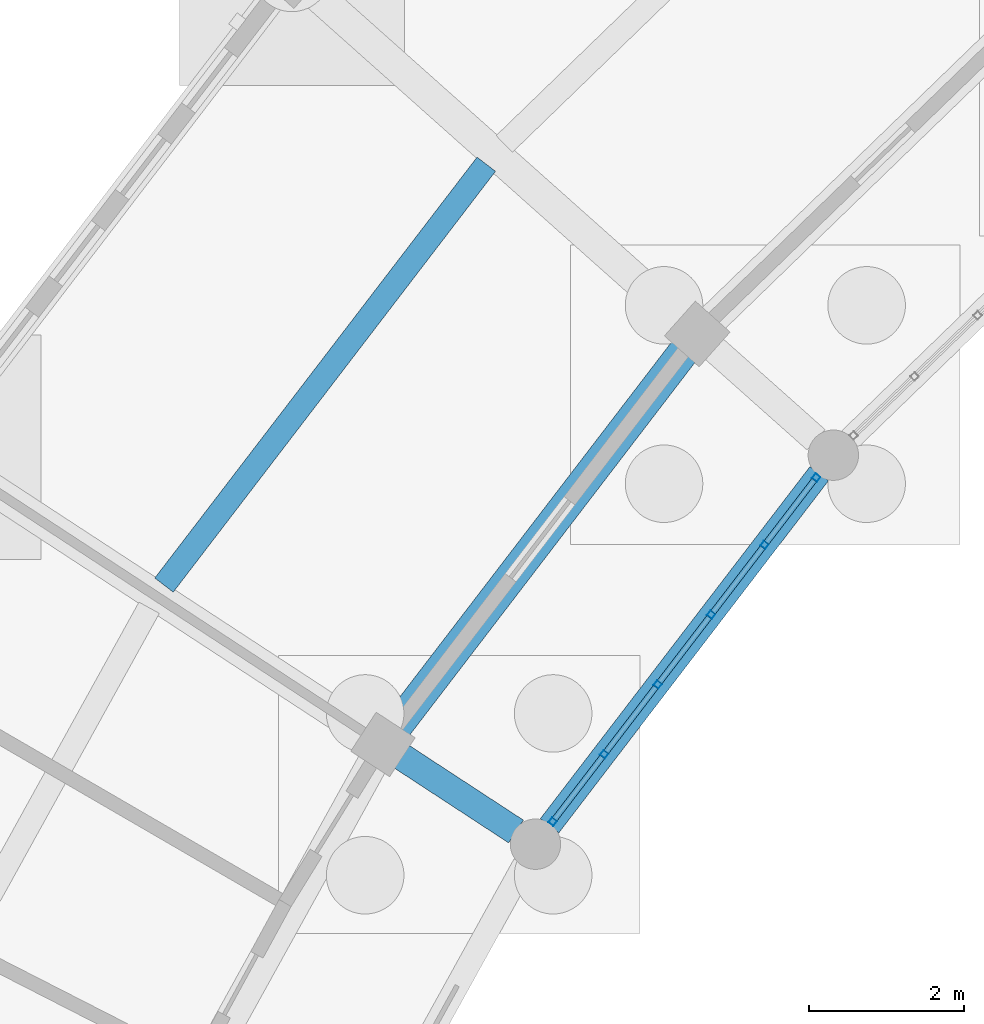
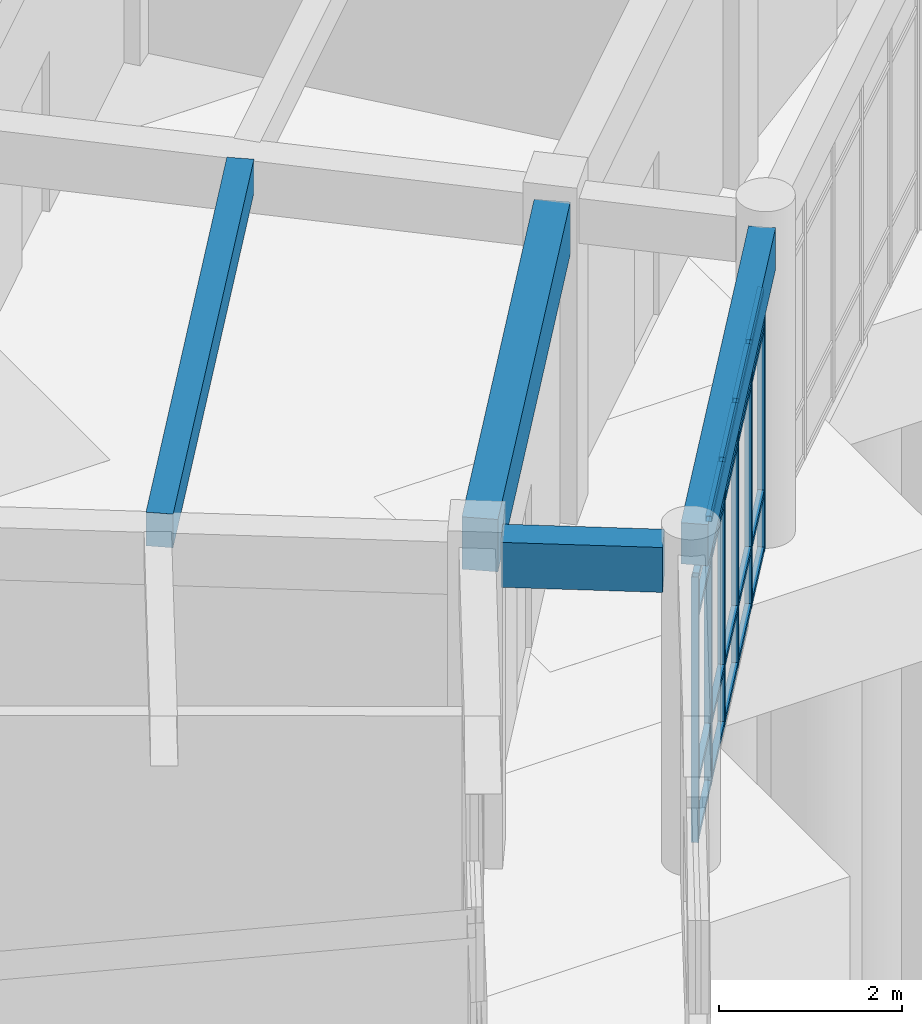
# One storey, part 67 of 153: 26 members, 4 beams, 1 element without a shape of its own.
"""IFC4 building model written with IfcOpenShell, lengths in metres."""

from ifc_helpers import new_model, si_unit, direction, frame, origin, origin_2d, place, context, subcontext, project, spatial, rectangle, hollow_rectangle, extrude, material, material_profile, profile_set, type_object, element, aggregate, save


model = new_model("IFC4")

# Units and contexts
model_context = context("Model", 3, precision=1e-05, world=origin(), true_north=direction((0.0, 1.0)))
body_context = subcontext(model_context, "Body", "Model", "MODEL_VIEW")
ifc_project = project(units=[si_unit("LENGTHUNIT", "METRE"), si_unit("AREAUNIT", "SQUARE_METRE"), si_unit("VOLUMEUNIT", "CUBIC_METRE"), si_unit("PLANEANGLEUNIT", "RADIAN"), si_unit("MASSUNIT", "GRAM", prefix="KILO")], contexts=[model_context])

# Site, building, storey
site_placement = place(None, origin())
site = spatial("IfcSite", under=ifc_project, at=site_placement, CompositionType="ELEMENT")
building_placement = place(site_placement, origin())
building = spatial("IfcBuilding", under=site, at=building_placement, Name="Celadon Cloister-Ring School", CompositionType="ELEMENT")
storey_placement = place(building_placement, origin())
storey = spatial("IfcBuildingStorey", under=building, at=storey_placement, Name="L00", CompositionType="ELEMENT", Elevation=0.0)

# Beam
ifc_material_1 = material(Name="Concrete C35/45", Category="concrete")
ifc_material_profile_1 = material_profile(ifc_material_1, rectangle(XDim=0.35009765625, YDim=0.60009765625, at=origin_2d()), Name="RC350X600")
ifc_profile_set_1 = profile_set([ifc_material_profile_1], Name="Concrete C35/45")
beam_type_1 = type_object("IfcBeamType", Name="BT-02", PredefinedType="BEAM", material=ifc_profile_set_1)
beam_1_placement = place(storey_placement, frame((49.572021484375, 83.485107421875, 3.97998046875), z_axis=(0.836841228722, -0.547445666629, 0.0), x_axis=(0.547445666629, 0.836841228722, 0.0)))
element("IfcBeam", 1, at=beam_1_placement, inside=storey, type_object=beam_type_1, Name="Beam 0008", PredefinedType="BEAM", context=body_context, shape_type="SweptSolid", body=[
    extrude(rectangle(XDim=0.35009765625, YDim=0.60009765625, at=origin_2d()), origin(), (0.0, 0.0, 1.0), 1.77587890625),
])

# Curtain wall, members
ifc_material_2 = material(Name="Aluminium EN AW-6063 T6", Category="aluminium")
curtain_wall_type = type_object("IfcCurtainWallType", Name="CW-01", PredefinedType="USERDEFINED", material=ifc_material_2)
curtain_wall_placement = place(storey_placement, origin())
curtain_wall = element("IfcCurtainWall", 2, at=curtain_wall_placement, inside=storey, type_object=curtain_wall_type, Name="Curtain Wall 0002", ObjectType="CURTAIN WALL", PredefinedType="USERDEFINED")
ifc_material_3 = material(Name="Aluminium EN AW-6063 T6", Category="aluminium")
ifc_material_profile_2 = material_profile(ifc_material_3, hollow_rectangle(XDim=0.080078125, YDim=0.080078125, WallThickness=0.00390625, at=origin_2d()), Name="RHS80X80X4")
ifc_profile_set_2 = profile_set([ifc_material_profile_2], Name="Aluminium EN AW-6063 T6")
member_type_1 = type_object("IfcMemberType", Name="CM-03", PredefinedType="MULLION", material=ifc_profile_set_2)
member_1_placement = place(storey_placement, frame((54.927734375, 87.0751953125, 0.0), z_axis=(0.0, 0.0, 1.0), x_axis=(0.794032169563, -0.607875738699, 0.0)))
member_1 = element("IfcMember", 3, at=member_1_placement, type_object=member_type_1, Name="CW-01 mullion 1", PredefinedType="MULLION", context=body_context, shape_type="SweptSolid", body=[
    extrude(hollow_rectangle(XDim=0.080078125, YDim=0.080078125, WallThickness=0.00390625, at=origin_2d()), origin(), (0.0, 0.0, 1.0), 3.550048828125),
])
member_2_placement = place(storey_placement, frame((54.262939453125, 86.20703125, 0.0), z_axis=(0.0, 0.0, 1.0), x_axis=(0.794032169563, -0.607875738699, 0.0)))
member_2 = element("IfcMember", 4, at=member_2_placement, type_object=member_type_1, Name="CW-01 mullion 2", PredefinedType="MULLION", context=body_context, shape_type="SweptSolid", body=[
    extrude(hollow_rectangle(XDim=0.080078125, YDim=0.080078125, WallThickness=0.00390625, at=origin_2d()), origin(), (0.0, 0.0, 1.0), 3.550048828125),
])
member_3_placement = place(storey_placement, frame((53.573974609375, 85.306884765625, 0.0), z_axis=(0.0, 0.0, 1.0), x_axis=(0.794032169563, -0.607875738699, 0.0)))
member_3 = element("IfcMember", 5, at=member_3_placement, type_object=member_type_1, Name="CW-01 mullion 3", PredefinedType="MULLION", context=body_context, shape_type="SweptSolid", body=[
    extrude(hollow_rectangle(XDim=0.080078125, YDim=0.080078125, WallThickness=0.00390625, at=origin_2d()), origin(), (0.0, 0.0, 1.0), 3.550048828125),
])
member_4_placement = place(storey_placement, frame((52.885009765625, 84.406982421875, 0.0), z_axis=(0.0, 0.0, 1.0), x_axis=(0.794032169563, -0.607875738699, 0.0)))
member_4 = element("IfcMember", 6, at=member_4_placement, type_object=member_type_1, Name="CW-01 mullion 4", PredefinedType="MULLION", context=body_context, shape_type="SweptSolid", body=[
    extrude(hollow_rectangle(XDim=0.080078125, YDim=0.080078125, WallThickness=0.00390625, at=origin_2d()), origin(), (0.0, 0.0, 1.0), 3.550048828125),
])
member_5_placement = place(storey_placement, frame((52.196044921875, 83.507080078125, 0.0), z_axis=(0.0, 0.0, 1.0), x_axis=(0.794032169563, -0.607875738699, 0.0)))
member_5 = element("IfcMember", 7, at=member_5_placement, type_object=member_type_1, Name="CW-01 mullion 5", PredefinedType="MULLION", context=body_context, shape_type="SweptSolid", body=[
    extrude(hollow_rectangle(XDim=0.080078125, YDim=0.080078125, WallThickness=0.00390625, at=origin_2d()), origin(), (0.0, 0.0, 1.0), 3.550048828125),
])
member_6_placement = place(storey_placement, frame((51.53125, 82.638671875, 0.0), z_axis=(0.0, 0.0, 1.0), x_axis=(0.794032169563, -0.607875738699, 0.0)))
member_6 = element("IfcMember", 8, at=member_6_placement, type_object=member_type_1, Name="CW-01 mullion 6", PredefinedType="MULLION", context=body_context, shape_type="SweptSolid", body=[
    extrude(hollow_rectangle(XDim=0.080078125, YDim=0.080078125, WallThickness=0.00390625, at=origin_2d()), origin(), (0.0, 0.0, 1.0), 3.550048828125),
])
ifc_material_4 = material(Name="Aluminium EN AW-6063 T6", Category="aluminium")
ifc_material_profile_3 = material_profile(ifc_material_4, hollow_rectangle(XDim=0.074951171875, YDim=0.074951171875, WallThickness=0.00390625, at=origin_2d()), Name="RHS75X75X4")
ifc_profile_set_3 = profile_set([ifc_material_profile_3], Name="Aluminium EN AW-6063 T6")
member_type_2 = type_object("IfcMemberType", Name="CTM-03", PredefinedType="USERDEFINED", material=ifc_profile_set_3)
member_7_placement = place(storey_placement, frame((54.9033203125, 87.04345703125, 0.03759765625), z_axis=(-0.607834557378, -0.794063694458, 0.0), x_axis=(0.794063694458, -0.607834557378, 0.0)))
member_7 = element("IfcMember", 9, at=member_7_placement, type_object=member_type_2, Name="CW-01 transom 1.1", ObjectType="TRANSOM", PredefinedType="USERDEFINED", context=body_context, shape_type="SweptSolid", body=[
    extrude(hollow_rectangle(XDim=0.074951171875, YDim=0.074951171875, WallThickness=0.00390625, at=origin_2d()), origin(), (0.0, 0.0, 1.0), 1.013427734375),
])
member_8_placement = place(storey_placement, frame((54.9033203125, 87.04345703125, 0.800048828125), z_axis=(-0.607834557378, -0.794063694458, 0.0), x_axis=(0.794063694458, -0.607834557378, 0.0)))
member_8 = element("IfcMember", 10, at=member_8_placement, type_object=member_type_2, Name="CW-01 transom 1.2", ObjectType="TRANSOM", PredefinedType="USERDEFINED", context=body_context, shape_type="SweptSolid", body=[
    extrude(hollow_rectangle(XDim=0.074951171875, YDim=0.074951171875, WallThickness=0.00390625, at=origin_2d()), origin(), (0.0, 0.0, 1.0), 1.013427734375),
])
member_9_placement = place(storey_placement, frame((54.9033203125, 87.04345703125, 3.0), z_axis=(-0.607834557378, -0.794063694458, 0.0), x_axis=(0.794063694458, -0.607834557378, 0.0)))
member_9 = element("IfcMember", 11, at=member_9_placement, type_object=member_type_2, Name="CW-01 transom 1.3", ObjectType="TRANSOM", PredefinedType="USERDEFINED", context=body_context, shape_type="SweptSolid", body=[
    extrude(hollow_rectangle(XDim=0.074951171875, YDim=0.074951171875, WallThickness=0.00390625, at=origin_2d()), origin(), (0.0, 0.0, 1.0), 1.013427734375),
])
member_10_placement = place(storey_placement, frame((54.9033203125, 87.04345703125, 3.512451171875), z_axis=(-0.607834557378, -0.794063694458, 0.0), x_axis=(0.794063694458, -0.607834557378, 0.0)))
member_10 = element("IfcMember", 12, at=member_10_placement, type_object=member_type_2, Name="CW-01 transom 1.4", ObjectType="TRANSOM", PredefinedType="USERDEFINED", context=body_context, shape_type="SweptSolid", body=[
    extrude(hollow_rectangle(XDim=0.074951171875, YDim=0.074951171875, WallThickness=0.00390625, at=origin_2d()), origin(), (0.0, 0.0, 1.0), 1.013427734375),
])
member_11_placement = place(storey_placement, frame((54.23876953125, 86.17529296875, 0.03759765625), z_axis=(-0.607905936714, -0.794009050394, 0.0), x_axis=(0.794009050394, -0.607905936714, 0.0)))
member_11 = element("IfcMember", 13, at=member_11_placement, type_object=member_type_2, Name="CW-01 transom 2.1", ObjectType="TRANSOM", PredefinedType="USERDEFINED", context=body_context, shape_type="SweptSolid", body=[
    extrude(hollow_rectangle(XDim=0.074951171875, YDim=0.074951171875, WallThickness=0.00390625, at=origin_2d()), origin(), (0.0, 0.0, 1.0), 1.053466796875),
])
member_12_placement = place(storey_placement, frame((54.23876953125, 86.17529296875, 0.800048828125), z_axis=(-0.607905936714, -0.794009050394, 0.0), x_axis=(0.794009050394, -0.607905936714, 0.0)))
member_12 = element("IfcMember", 14, at=member_12_placement, type_object=member_type_2, Name="CW-01 transom 2.2", ObjectType="TRANSOM", PredefinedType="USERDEFINED", context=body_context, shape_type="SweptSolid", body=[
    extrude(hollow_rectangle(XDim=0.074951171875, YDim=0.074951171875, WallThickness=0.00390625, at=origin_2d()), origin(), (0.0, 0.0, 1.0), 1.053466796875),
])
member_13_placement = place(storey_placement, frame((54.23876953125, 86.17529296875, 3.0), z_axis=(-0.607905936714, -0.794009050394, 0.0), x_axis=(0.794009050394, -0.607905936714, 0.0)))
member_13 = element("IfcMember", 15, at=member_13_placement, type_object=member_type_2, Name="CW-01 transom 2.3", ObjectType="TRANSOM", PredefinedType="USERDEFINED", context=body_context, shape_type="SweptSolid", body=[
    extrude(hollow_rectangle(XDim=0.074951171875, YDim=0.074951171875, WallThickness=0.00390625, at=origin_2d()), origin(), (0.0, 0.0, 1.0), 1.053466796875),
])
member_14_placement = place(storey_placement, frame((54.23876953125, 86.17529296875, 3.512451171875), z_axis=(-0.607905936714, -0.794009050394, 0.0), x_axis=(0.794009050394, -0.607905936714, 0.0)))
member_14 = element("IfcMember", 16, at=member_14_placement, type_object=member_type_2, Name="CW-01 transom 2.4", ObjectType="TRANSOM", PredefinedType="USERDEFINED", context=body_context, shape_type="SweptSolid", body=[
    extrude(hollow_rectangle(XDim=0.074951171875, YDim=0.074951171875, WallThickness=0.00390625, at=origin_2d()), origin(), (0.0, 0.0, 1.0), 1.053466796875),
])
member_15_placement = place(storey_placement, frame((53.5498046875, 85.275146484375, 0.03759765625), z_axis=(-0.607905936714, -0.794009050394, 0.0), x_axis=(0.794009050394, -0.607905936714, 0.0)))
member_15 = element("IfcMember", 17, at=member_15_placement, type_object=member_type_2, Name="CW-01 transom 3.1", ObjectType="TRANSOM", PredefinedType="USERDEFINED", context=body_context, shape_type="SweptSolid", body=[
    extrude(hollow_rectangle(XDim=0.074951171875, YDim=0.074951171875, WallThickness=0.00390625, at=origin_2d()), origin(), (0.0, 0.0, 1.0), 1.053466796875),
])
member_16_placement = place(storey_placement, frame((53.5498046875, 85.275146484375, 0.800048828125), z_axis=(-0.607905936714, -0.794009050394, 0.0), x_axis=(0.794009050394, -0.607905936714, 0.0)))
member_16 = element("IfcMember", 18, at=member_16_placement, type_object=member_type_2, Name="CW-01 transom 3.2", ObjectType="TRANSOM", PredefinedType="USERDEFINED", context=body_context, shape_type="SweptSolid", body=[
    extrude(hollow_rectangle(XDim=0.074951171875, YDim=0.074951171875, WallThickness=0.00390625, at=origin_2d()), origin(), (0.0, 0.0, 1.0), 1.053466796875),
])
member_17_placement = place(storey_placement, frame((53.5498046875, 85.275146484375, 3.0), z_axis=(-0.607905936714, -0.794009050394, 0.0), x_axis=(0.794009050394, -0.607905936714, 0.0)))
member_17 = element("IfcMember", 19, at=member_17_placement, type_object=member_type_2, Name="CW-01 transom 3.3", ObjectType="TRANSOM", PredefinedType="USERDEFINED", context=body_context, shape_type="SweptSolid", body=[
    extrude(hollow_rectangle(XDim=0.074951171875, YDim=0.074951171875, WallThickness=0.00390625, at=origin_2d()), origin(), (0.0, 0.0, 1.0), 1.053466796875),
])
member_18_placement = place(storey_placement, frame((53.5498046875, 85.275146484375, 3.512451171875), z_axis=(-0.607905936714, -0.794009050394, 0.0), x_axis=(0.794009050394, -0.607905936714, 0.0)))
member_18 = element("IfcMember", 20, at=member_18_placement, type_object=member_type_2, Name="CW-01 transom 3.4", ObjectType="TRANSOM", PredefinedType="USERDEFINED", context=body_context, shape_type="SweptSolid", body=[
    extrude(hollow_rectangle(XDim=0.074951171875, YDim=0.074951171875, WallThickness=0.00390625, at=origin_2d()), origin(), (0.0, 0.0, 1.0), 1.053466796875),
])
member_19_placement = place(storey_placement, frame((52.860595703125, 84.375244140625, 0.03759765625), z_axis=(-0.607905936714, -0.794009050394, 0.0), x_axis=(0.794009050394, -0.607905936714, 0.0)))
member_19 = element("IfcMember", 21, at=member_19_placement, type_object=member_type_2, Name="CW-01 transom 4.1", ObjectType="TRANSOM", PredefinedType="USERDEFINED", context=body_context, shape_type="SweptSolid", body=[
    extrude(hollow_rectangle(XDim=0.074951171875, YDim=0.074951171875, WallThickness=0.00390625, at=origin_2d()), origin(), (0.0, 0.0, 1.0), 1.053466796875),
])
member_20_placement = place(storey_placement, frame((52.860595703125, 84.375244140625, 0.800048828125), z_axis=(-0.607905936714, -0.794009050394, 0.0), x_axis=(0.794009050394, -0.607905936714, 0.0)))
member_20 = element("IfcMember", 22, at=member_20_placement, type_object=member_type_2, Name="CW-01 transom 4.2", ObjectType="TRANSOM", PredefinedType="USERDEFINED", context=body_context, shape_type="SweptSolid", body=[
    extrude(hollow_rectangle(XDim=0.074951171875, YDim=0.074951171875, WallThickness=0.00390625, at=origin_2d()), origin(), (0.0, 0.0, 1.0), 1.053466796875),
])
member_21_placement = place(storey_placement, frame((52.860595703125, 84.375244140625, 3.0), z_axis=(-0.607905936714, -0.794009050394, 0.0), x_axis=(0.794009050394, -0.607905936714, 0.0)))
member_21 = element("IfcMember", 23, at=member_21_placement, type_object=member_type_2, Name="CW-01 transom 4.3", ObjectType="TRANSOM", PredefinedType="USERDEFINED", context=body_context, shape_type="SweptSolid", body=[
    extrude(hollow_rectangle(XDim=0.074951171875, YDim=0.074951171875, WallThickness=0.00390625, at=origin_2d()), origin(), (0.0, 0.0, 1.0), 1.053466796875),
])
member_22_placement = place(storey_placement, frame((52.860595703125, 84.375244140625, 3.512451171875), z_axis=(-0.607905936714, -0.794009050394, 0.0), x_axis=(0.794009050394, -0.607905936714, 0.0)))
member_22 = element("IfcMember", 24, at=member_22_placement, type_object=member_type_2, Name="CW-01 transom 4.4", ObjectType="TRANSOM", PredefinedType="USERDEFINED", context=body_context, shape_type="SweptSolid", body=[
    extrude(hollow_rectangle(XDim=0.074951171875, YDim=0.074951171875, WallThickness=0.00390625, at=origin_2d()), origin(), (0.0, 0.0, 1.0), 1.053466796875),
])
member_23_placement = place(storey_placement, frame((52.171630859375, 83.475341796875, 0.03759765625), z_axis=(-0.607718292077, -0.794152678945, 0.0), x_axis=(0.794152678945, -0.607718292077, 0.0)))
member_23 = element("IfcMember", 25, at=member_23_placement, type_object=member_type_2, Name="CW-01 transom 5.1", ObjectType="TRANSOM", PredefinedType="USERDEFINED", context=body_context, shape_type="SweptSolid", body=[
    extrude(hollow_rectangle(XDim=0.074951171875, YDim=0.074951171875, WallThickness=0.00390625, at=origin_2d()), origin(), (0.0, 0.0, 1.0), 1.013671875),
])
member_24_placement = place(storey_placement, frame((52.171630859375, 83.475341796875, 0.800048828125), z_axis=(-0.607718292077, -0.794152678945, 0.0), x_axis=(0.794152678945, -0.607718292077, 0.0)))
member_24 = element("IfcMember", 26, at=member_24_placement, type_object=member_type_2, Name="CW-01 transom 5.2", ObjectType="TRANSOM", PredefinedType="USERDEFINED", context=body_context, shape_type="SweptSolid", body=[
    extrude(hollow_rectangle(XDim=0.074951171875, YDim=0.074951171875, WallThickness=0.00390625, at=origin_2d()), origin(), (0.0, 0.0, 1.0), 1.013671875),
])
member_25_placement = place(storey_placement, frame((52.171630859375, 83.475341796875, 3.0), z_axis=(-0.607718292077, -0.794152678945, 0.0), x_axis=(0.794152678945, -0.607718292077, 0.0)))
member_25 = element("IfcMember", 27, at=member_25_placement, type_object=member_type_2, Name="CW-01 transom 5.3", ObjectType="TRANSOM", PredefinedType="USERDEFINED", context=body_context, shape_type="SweptSolid", body=[
    extrude(hollow_rectangle(XDim=0.074951171875, YDim=0.074951171875, WallThickness=0.00390625, at=origin_2d()), origin(), (0.0, 0.0, 1.0), 1.013671875),
])
member_26_placement = place(storey_placement, frame((52.171630859375, 83.475341796875, 3.512451171875), z_axis=(-0.607718292077, -0.794152678945, 0.0), x_axis=(0.794152678945, -0.607718292077, 0.0)))
member_26 = element("IfcMember", 28, at=member_26_placement, type_object=member_type_2, Name="CW-01 transom 5.4", ObjectType="TRANSOM", PredefinedType="USERDEFINED", context=body_context, shape_type="SweptSolid", body=[
    extrude(hollow_rectangle(XDim=0.074951171875, YDim=0.074951171875, WallThickness=0.00390625, at=origin_2d()), origin(), (0.0, 0.0, 1.0), 1.013671875),
])
aggregate(curtain_wall, [member_1, member_2, member_3, member_4, member_5, member_6, member_7, member_8, member_9, member_10, member_11, member_12, member_13, member_14, member_15, member_16, member_17, member_18, member_19, member_20, member_21, member_22, member_23, member_24, member_25, member_26])

# Beams
ifc_material_5 = material(Name="Concrete C35/45", Category="concrete")
ifc_material_profile_4 = material_profile(ifc_material_5, rectangle(XDim=0.39990234375, YDim=0.699951171875, at=origin_2d()), Name="RC400X700")
ifc_profile_set_4 = profile_set([ifc_material_profile_4], Name="Concrete C35/45")
beam_type_2 = type_object("IfcBeamType", Name="GT-03", PredefinedType="USERDEFINED", material=ifc_profile_set_4)
beam_2_placement = place(storey_placement, frame((53.22802734375, 88.7099609375, 3.929931640625), z_axis=(-0.607952175089, -0.793973647425, 0.0), x_axis=(0.793973647425, -0.607952175089, 0.0)))
element("IfcBeam", 29, at=beam_2_placement, inside=storey, type_object=beam_type_2, Name="Beam 0078", ObjectType="GIRDER", PredefinedType="USERDEFINED", context=body_context, shape_type="SweptSolid", body=[
    extrude(rectangle(XDim=0.39990234375, YDim=0.699951171875, at=origin_2d()), origin(), (0.0, 0.0, 1.0), 6.1171875),
])
ifc_material_6 = material(Name="Concrete C35/45", Category="concrete")
ifc_material_profile_5 = material_profile(ifc_material_6, rectangle(XDim=0.300048828125, YDim=0.449951171875, at=origin_2d()), Name="RC300X450")
ifc_profile_set_5 = profile_set([ifc_material_profile_5], Name="Concrete C35/45")
beam_type_3 = type_object("IfcBeamType", Name="JT-01", PredefinedType="JOIST", material=ifc_profile_set_5)
beam_3_placement = place(storey_placement, frame((50.675048828125, 91.116943359375, 4.054931640625), z_axis=(-0.607998808463, -0.793937937692, 0.0), x_axis=(0.793937937692, -0.607998808463, 0.0)))
element("IfcBeam", 30, at=beam_3_placement, inside=storey, type_object=beam_type_3, Name="Beam 0080", PredefinedType="JOIST", context=body_context, shape_type="SweptSolid", body=[
    extrude(rectangle(XDim=0.300048828125, YDim=0.449951171875, at=origin_2d()), origin(), (0.0, 0.0, 1.0), 6.83544921875),
])
ifc_material_7 = material(Name="Concrete C35/45", Category="concrete")
ifc_material_profile_6 = material_profile(ifc_material_7, rectangle(XDim=0.300048828125, YDim=0.550048828125, at=origin_2d()), Name="RC300X550")
ifc_profile_set_6 = profile_set([ifc_material_profile_6], Name="Concrete C35/45")
beam_type_4 = type_object("IfcBeamType", Name="SP-02", PredefinedType="SPANDREL", material=ifc_profile_set_6)
beam_4_placement = place(storey_placement, frame((54.968017578125, 87.126953125, 4.0048828125), z_axis=(-0.608029932988, -0.793914101519, 0.0), x_axis=(0.793914101519, -0.608029932988, 0.0)))
element("IfcBeam", 31, at=beam_4_placement, inside=storey, type_object=beam_type_4, Name="Beam 0079", PredefinedType="SPANDREL", context=body_context, shape_type="SweptSolid", body=[
    extrude(rectangle(XDim=0.300048828125, YDim=0.550048828125, at=origin_2d()), origin(), (0.0, 0.0, 1.0), 5.718505859375),
])

save(model, "model.ifc")
